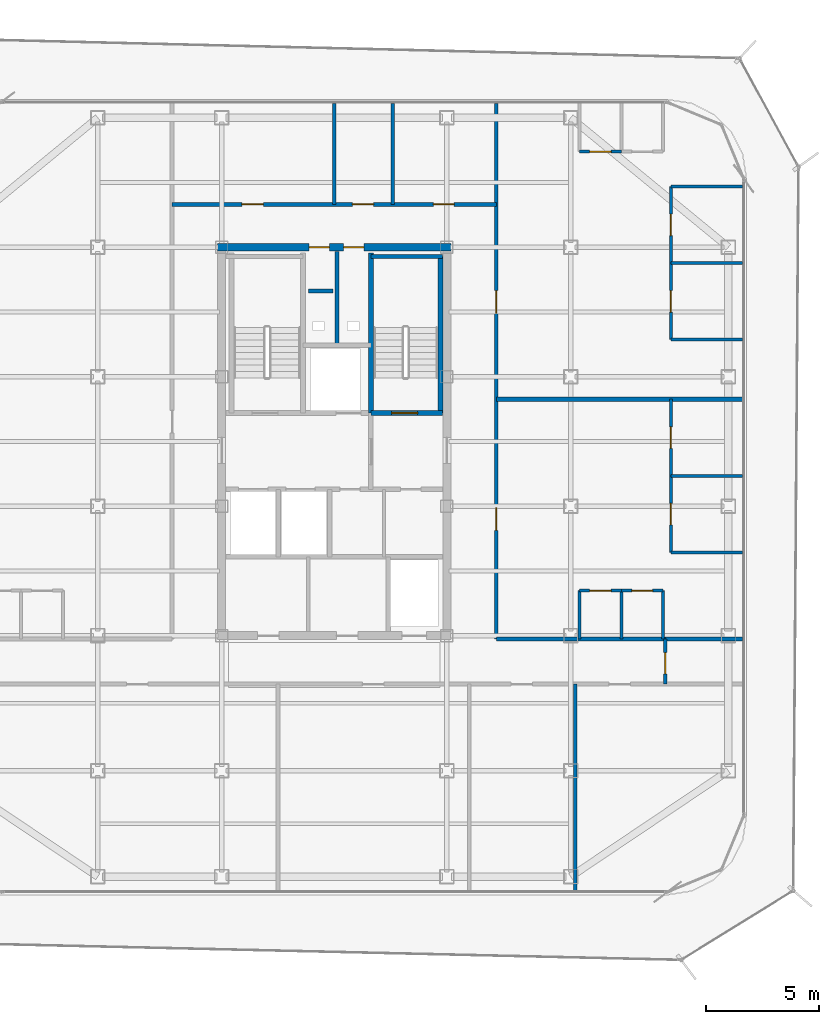
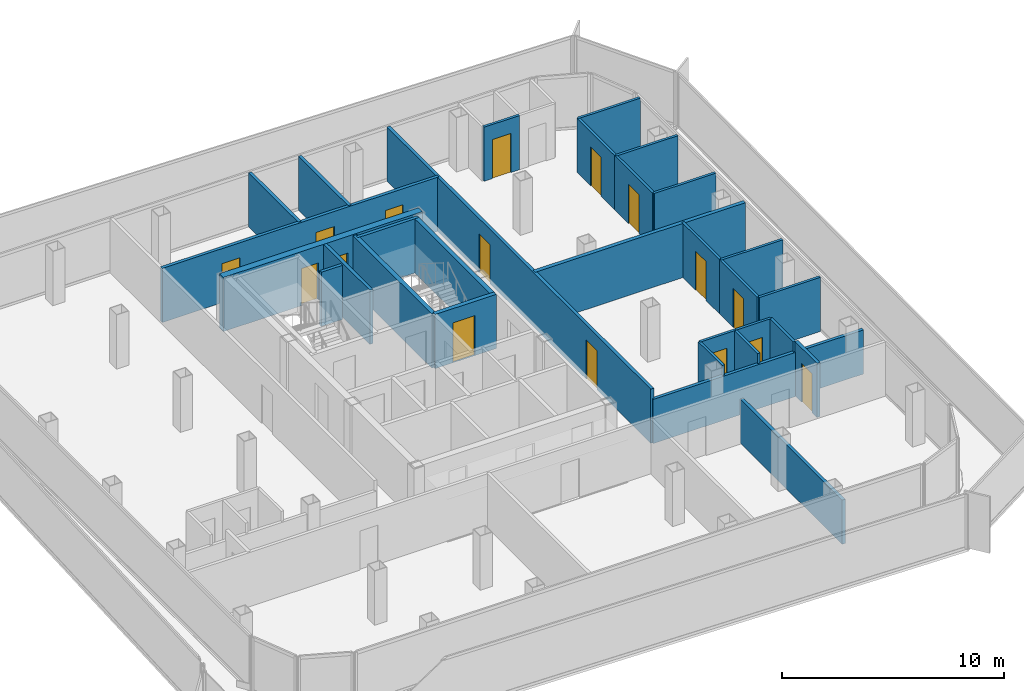
# One storey, part 11 of 15: 31 walls, 16 doors, 16 openings.
"""IFC4 building model written with IfcOpenShell, lengths in metres."""

from ifc_helpers import new_model, si_unit, direction, frame, frame_2d, origin, place, context, subcontext, project, spatial, rectangle, extrude, material, layer, layer_set, type_object, element, fill, save


model = new_model("IFC4")

# Units and contexts
model_context = context("Model", 3, precision=1e-05, world=origin(), true_north=direction((0.0, 1.0)))
body_context = subcontext(model_context, "Body", "Model", "MODEL_VIEW")
ifc_project = project(units=[si_unit("LENGTHUNIT", "METRE"), si_unit("AREAUNIT", "SQUARE_METRE"), si_unit("VOLUMEUNIT", "CUBIC_METRE"), si_unit("PLANEANGLEUNIT", "RADIAN"), si_unit("MASSUNIT", "GRAM", prefix="KILO")], contexts=[model_context])

# Site, building, storey
site_placement = place(None, origin())
site = spatial("IfcSite", under=ifc_project, at=site_placement, CompositionType="ELEMENT")
building_placement = place(site_placement, origin())
building = spatial("IfcBuilding", under=site, at=building_placement, Name="Kolveth Station Tower", CompositionType="ELEMENT")
storey_placement = place(building_placement, frame((0.0, 0.0, 264.89990234375)))
storey = spatial("IfcBuildingStorey", under=building, at=storey_placement, Name="L76", CompositionType="ELEMENT", Elevation=264.89990234375)

# Wall, openings, doors
ifc_material_1 = material(Name="Concrete C50/60", Category="concrete")
ifc_layer_1 = layer(ifc_material_1, 0.35009765625)
ifc_layer_set_1 = layer_set([ifc_layer_1], Name="Concrete C50/60")
wall_type_1 = type_object("IfcWallType", Name="Wall_CW-350", PredefinedType="SHEAR", material=ifc_layer_set_1)
wall_1_placement = place(storey_placement, frame((18.324951171875, 28.75, 0.0), z_axis=(0.0, 0.0, 1.0), x_axis=(1.0, 0.0, 0.0)))
wall_1 = element("IfcWall", 1, at=wall_1_placement, inside=storey, type_object=wall_type_1, Name="L76 Core RC Shear Wall N", PredefinedType="SHEAR", context=body_context, shape_type="SweptSolid", body=[
    extrude(rectangle(XDim=10.35009765625, YDim=0.35009765625, at=frame_2d((5.175048828125, 0.0))), origin(), (0.0, 0.0, 1.0), 2.97998046875),
])
opening_1_placement = place(wall_1_placement, frame((4.054931640625, 0.0, 0.0)))
opening_1 = element("IfcOpeningElement", 2, at=opening_1_placement, cuts=wall_1, Name="Opening RD1", PredefinedType="OPENING", context=body_context, shape_type="SweptSolid", body=[
    extrude(rectangle(XDim=0.89990234375, YDim=2.050048828125, at=frame_2d((0.449951171875, 1.02490234375))), frame((0.0, 0.18505859375, 0.0), z_axis=(0.0, -1.0, 0.0), x_axis=(1.0, 0.0, 0.0)), (0.0, 0.0, 1.0), 0.3701171875),
])
opening_2_placement = place(wall_1_placement, frame((5.594970703125, 0.0, 0.0)))
opening_2 = element("IfcOpeningElement", 3, at=opening_2_placement, cuts=wall_1, Name="Opening RD1", PredefinedType="OPENING", context=body_context, shape_type="SweptSolid", body=[
    extrude(rectangle(XDim=0.89990234375, YDim=2.050048828125, at=frame_2d((0.449951171875, 1.02490234375))), frame((0.0, 0.18505859375, 0.0), z_axis=(0.0, -1.0, 0.0), x_axis=(1.0, 0.0, 0.0)), (0.0, 0.0, 1.0), 0.3701171875),
])
ifc_material_2 = material(Name="Fire-rated Steel S355 riser access leaf", Category="steel")
door_type_1 = type_object("IfcDoorType", Name="Door_RD1", OperationType="NOTDEFINED", PredefinedType="DOOR", material=ifc_material_2)
door_1_placement = place(opening_1_placement, origin())
door_1 = element("IfcDoor", 4, at=door_1_placement, inside=storey, type_object=door_type_1, Name="L76 Electrical Riser Access Door", OperationType="SINGLE_SWING_RIGHT", OverallHeight=2.050048828125, OverallWidth=0.89990234375, PredefinedType="DOOR", context=body_context, shape_type="SweptSolid", body=[
    extrude(rectangle(XDim=0.89990234375, YDim=2.050048828125, at=frame_2d((0.449951171875, 1.02490234375))), frame((0.0, 0.02490234375, 0.0), z_axis=(0.0, -1.0, 0.0), x_axis=(1.0, 0.0, 0.0)), (0.0, 0.0, 1.0), 0.050048828125),
])
fill(opening_1, door_1)
door_2_placement = place(opening_2_placement, origin())
door_2 = element("IfcDoor", 5, at=door_2_placement, inside=storey, type_object=door_type_1, Name="L76 Smoke Duct Access Door", OperationType="SINGLE_SWING_LEFT", OverallHeight=2.050048828125, OverallWidth=0.89990234375, PredefinedType="DOOR", context=body_context, shape_type="SweptSolid", body=[
    extrude(rectangle(XDim=0.89990234375, YDim=2.050048828125, at=frame_2d((0.449951171875, 1.02490234375))), frame((0.0, 0.02490234375, 0.0), z_axis=(0.0, -1.0, 0.0), x_axis=(1.0, 0.0, 0.0)), (0.0, 0.0, 1.0), 0.050048828125),
])
fill(opening_2, door_2)

# Wall, opening, door
ifc_material_3 = material(Name="Moisture-resistant gypsum partition")
ifc_layer_2 = layer(ifc_material_3, 0.135009765625)
ifc_layer_set_2 = layer_set([ifc_layer_2], Name="Moisture-resistant gypsum partition")
wall_type_2 = type_object("IfcWallType", Name="Wall_IW-135", PredefinedType="PARTITIONING", material=ifc_layer_set_2)
wall_2_placement = place(storey_placement, frame((34.39990234375, 13.5, 0.0), z_axis=(0.0, 0.0, 1.0), x_axis=(1.0, 0.0, 0.0)))
wall_2 = element("IfcWall", 6, at=wall_2_placement, inside=storey, type_object=wall_type_2, Name="L76 Partition Wall WL-L76-E1-IBHK", PredefinedType="PARTITIONING", context=body_context, shape_type="SweptSolid", body=[
    extrude(rectangle(XDim=1.85009765625, YDim=0.135009765625, at=frame_2d((0.925048828125, 0.0))), origin(), (0.0, 0.0, 1.0), 2.97998046875),
])
opening_3_placement = place(wall_2_placement, frame((0.445068359375, 0.0, 0.0)))
opening_3 = element("IfcOpeningElement", 7, at=opening_3_placement, cuts=wall_2, Name="Opening ID1", PredefinedType="OPENING", context=body_context, shape_type="SweptSolid", body=[
    extrude(rectangle(XDim=0.949951171875, YDim=2.14990234375, at=frame_2d((0.47509765625, 1.074951171875))), frame((0.0, 0.077392578125, 0.0), z_axis=(0.0, -1.0, 0.0), x_axis=(1.0, 0.0, 0.0)), (0.0, 0.0, 1.0), 0.155029296875),
])
ifc_material_4 = material(Name="Acoustic hardwood leaf and aluminium frame", Category="wood")
door_type_2 = type_object("IfcDoorType", Name="Door_ID1", OperationType="NOTDEFINED", PredefinedType="DOOR", material=ifc_material_4)
door_3_placement = place(opening_3_placement, origin())
door_3 = element("IfcDoor", 8, at=door_3_placement, inside=storey, type_object=door_type_2, Name="Penthouse Flat L76-E1 Kitchen Door", OperationType="SINGLE_SWING_LEFT", OverallHeight=2.14990234375, OverallWidth=0.949951171875, PredefinedType="DOOR", context=body_context, shape_type="SweptSolid", body=[
    extrude(rectangle(XDim=0.949951171875, YDim=2.14990234375, at=frame_2d((0.47509765625, 1.074951171875))), frame((0.0, 0.02490234375, 0.0), z_axis=(0.0, -1.0, 0.0), x_axis=(1.0, 0.0, 0.0)), (0.0, 0.0, 1.0), 0.050048828125),
])
fill(opening_3, door_3)

wall_3_placement = place(storey_placement, frame((36.25, 13.5, 0.0), z_axis=(0.0, 0.0, 1.0), x_axis=(1.0, 0.0, 0.0)))
wall_3 = element("IfcWall", 9, at=wall_3_placement, inside=storey, type_object=wall_type_2, Name="L76 Partition Wall WL-L76-E1-IBHB", PredefinedType="PARTITIONING", context=body_context, shape_type="SweptSolid", body=[
    extrude(rectangle(XDim=1.85009765625, YDim=0.135009765625, at=frame_2d((0.925048828125, 0.0))), origin(), (0.0, 0.0, 1.0), 2.97998046875),
])
opening_4_placement = place(wall_3_placement, frame((0.465087890625, 0.0, 0.0)))
opening_4 = element("IfcOpeningElement", 10, at=opening_4_placement, cuts=wall_3, Name="Opening ID2", PredefinedType="OPENING", context=body_context, shape_type="SweptSolid", body=[
    extrude(rectangle(XDim=0.919921875, YDim=2.10009765625, at=frame_2d((0.4599609375, 1.050048828125))), frame((0.0, 0.077392578125, 0.0), z_axis=(0.0, -1.0, 0.0), x_axis=(1.0, 0.0, 0.0)), (0.0, 0.0, 1.0), 0.155029296875),
])
ifc_material_5 = material(Name="Moisture-resistant hardwood leaf", Category="wood")
door_type_3 = type_object("IfcDoorType", Name="Door_ID2", OperationType="NOTDEFINED", PredefinedType="DOOR", material=ifc_material_5)
door_4_placement = place(opening_4_placement, origin())
door_4 = element("IfcDoor", 11, at=door_4_placement, inside=storey, type_object=door_type_3, Name="Penthouse Flat L76-E1 Bathroom Door", OperationType="SINGLE_SWING_RIGHT", OverallHeight=2.10009765625, OverallWidth=0.919921875, PredefinedType="DOOR", context=body_context, shape_type="SweptSolid", body=[
    extrude(rectangle(XDim=0.919921875, YDim=2.10009765625, at=frame_2d((0.4599609375, 1.050048828125))), frame((0.0, 0.02490234375, 0.0), z_axis=(0.0, -1.0, 0.0), x_axis=(1.0, 0.0, 0.0)), (0.0, 0.0, 1.0), 0.050048828125),
])
fill(opening_4, door_4)

# Walls
for number, where, z_axis, x_axis, name in (
    (12, (34.39990234375, 11.35009765625, 0.0), (0.0, 0.0, 1.0), (0.0, 1.0, 0.0), "L76 Partition Wall WL-L76-E1-IBV0"),
    (13, (36.25, 11.35009765625, 0.0), (0.0, 0.0, 1.0), (0.0, 1.0, 0.0), "L76 Partition Wall WL-L76-E1-IBV1"),
    (14, (38.10009765625, 11.35009765625, 0.0), (0.0, 0.0, 1.0), (0.0, 1.0, 0.0), "L76 Partition Wall WL-L76-E1-IBV2"),
):
    element("IfcWall", number, at=place(storey_placement, frame(where, z_axis=z_axis, x_axis=x_axis)), inside=storey, type_object=wall_type_2, Name=name, PredefinedType="PARTITIONING", context=body_context, shape_type="SweptSolid", body=[
        extrude(rectangle(XDim=2.14990234375, YDim=0.135009765625, at=frame_2d((1.074951171875, 0.0))), origin(), (0.0, 0.0, 1.0), 2.97998046875),
    ])
wall_4_placement = place(storey_placement, frame((38.449951171875, 15.199951171875, 0.0), z_axis=(0.0, 0.0, 1.0), x_axis=(1.0, 0.0, 0.0)))
element("IfcWall", 15, at=wall_4_placement, inside=storey, type_object=wall_type_2, Name="L76 Partition Wall WL-L76-E1-BDH0", PredefinedType="PARTITIONING", context=body_context, shape_type="SweptSolid", body=[
    extrude(rectangle(XDim=3.18994140625, YDim=0.135009765625, at=frame_2d((1.594970703125, 0.0))), origin(), (0.0, 0.0, 1.0), 2.97998046875),
])

# Wall, opening, door
wall_5_placement = place(storey_placement, frame((38.449951171875, 15.199951171875, 0.0), z_axis=(0.0, 0.0, 1.0), x_axis=(0.0, 1.0, 0.0)))
wall_5 = element("IfcWall", 16, at=wall_5_placement, inside=storey, type_object=wall_type_2, Name="L76 Partition Wall WL-L76-E1-BDV1", PredefinedType="PARTITIONING", context=body_context, shape_type="SweptSolid", body=[
    extrude(rectangle(XDim=3.400146484375, YDim=0.135009765625, at=frame_2d((1.7001953125, 0.0))), origin(), (0.0, 0.0, 1.0), 2.97998046875),
])
opening_5_placement = place(wall_5_placement, frame((1.219970703125, 0.0, 0.0)))
opening_5 = element("IfcOpeningElement", 17, at=opening_5_placement, cuts=wall_5, Name="Opening ID1", PredefinedType="OPENING", context=body_context, shape_type="SweptSolid", body=[
    extrude(rectangle(XDim=0.949951171875, YDim=2.14990234375, at=frame_2d((0.47509765625, 1.074951171875))), frame((0.0, 0.077392578125, 0.0), z_axis=(0.0, -1.0, 0.0), x_axis=(1.0, 0.0, 0.0)), (0.0, 0.0, 1.0), 0.155029296875),
])
door_5_placement = place(opening_5_placement, frame((0.949951171875, 0.0, 0.0), z_axis=(0.0, 0.0, 1.0), x_axis=(-1.0, 0.0, 0.0)))
door_5 = element("IfcDoor", 18, at=door_5_placement, inside=storey, type_object=door_type_2, Name="Penthouse Flat L76-E1 Bedroom 1 Door", OperationType="SINGLE_SWING_LEFT", OverallHeight=2.14990234375, OverallWidth=0.949951171875, PredefinedType="DOOR", context=body_context, shape_type="SweptSolid", body=[
    extrude(rectangle(XDim=0.949951171875, YDim=2.14990234375, at=frame_2d((0.47509765625, 1.074951171875))), frame((0.0, 0.02490234375, 0.0), z_axis=(0.0, -1.0, 0.0), x_axis=(1.0, 0.0, 0.0)), (0.0, 0.0, 1.0), 0.050048828125),
])
fill(opening_5, door_5)

wall_6_placement = place(storey_placement, frame((38.449951171875, 18.60009765625, 0.0), z_axis=(0.0, 0.0, 1.0), x_axis=(0.0, 1.0, 0.0)))
wall_6 = element("IfcWall", 19, at=wall_6_placement, inside=storey, type_object=wall_type_2, Name="L76 Partition Wall WL-L76-E1-BDV2", PredefinedType="PARTITIONING", context=body_context, shape_type="SweptSolid", body=[
    extrude(rectangle(XDim=3.39990234375, YDim=0.135009765625, at=frame_2d((1.699951171875, 0.0))), origin(), (0.0, 0.0, 1.0), 2.97998046875),
])
opening_6_placement = place(wall_6_placement, frame((1.219970703125, 0.0, 0.0)))
opening_6 = element("IfcOpeningElement", 20, at=opening_6_placement, cuts=wall_6, Name="Opening ID1", PredefinedType="OPENING", context=body_context, shape_type="SweptSolid", body=[
    extrude(rectangle(XDim=0.949951171875, YDim=2.14990234375, at=frame_2d((0.47509765625, 1.074951171875))), frame((0.0, 0.077392578125, 0.0), z_axis=(0.0, -1.0, 0.0), x_axis=(1.0, 0.0, 0.0)), (0.0, 0.0, 1.0), 0.155029296875),
])
door_6_placement = place(opening_6_placement, frame((0.949951171875, 0.0, 0.0), z_axis=(0.0, 0.0, 1.0), x_axis=(-1.0, 0.0, 0.0)))
door_6 = element("IfcDoor", 21, at=door_6_placement, inside=storey, type_object=door_type_2, Name="Penthouse Flat L76-E1 Bedroom 2 Door", OperationType="SINGLE_SWING_RIGHT", OverallHeight=2.14990234375, OverallWidth=0.949951171875, PredefinedType="DOOR", context=body_context, shape_type="SweptSolid", body=[
    extrude(rectangle(XDim=0.949951171875, YDim=2.14990234375, at=frame_2d((0.47509765625, 1.074951171875))), frame((0.0, 0.02490234375, 0.0), z_axis=(0.0, -1.0, 0.0), x_axis=(1.0, 0.0, 0.0)), (0.0, 0.0, 1.0), 0.050048828125),
])
fill(opening_6, door_6)

# Wall
wall_7_placement = place(storey_placement, frame((38.449951171875, 18.60009765625, 0.0), z_axis=(0.0, 0.0, 1.0), x_axis=(1.0, 0.0, 0.0)))
element("IfcWall", 22, at=wall_7_placement, inside=storey, type_object=wall_type_2, Name="L76 Partition Wall WL-L76-E1-BDH1", PredefinedType="PARTITIONING", context=body_context, shape_type="SweptSolid", body=[
    extrude(rectangle(XDim=3.18994140625, YDim=0.135009765625, at=frame_2d((1.594970703125, 0.0))), origin(), (0.0, 0.0, 1.0), 2.97998046875),
])

# Wall, opening, door
wall_8_placement = place(storey_placement, frame((34.39990234375, 32.989990234375, 0.0), z_axis=(0.0, 0.0, 1.0), x_axis=(1.0, 0.0, 0.0)))
wall_8 = element("IfcWall", 23, at=wall_8_placement, inside=storey, type_object=wall_type_2, Name="L76 Partition Wall WL-L76-E2-IBHK", PredefinedType="PARTITIONING", context=body_context, shape_type="SweptSolid", body=[
    extrude(rectangle(XDim=1.85009765625, YDim=0.135009765625, at=frame_2d((0.925048828125, 0.0))), origin(), (0.0, 0.0, 1.0), 2.97998046875),
])
opening_7_placement = place(wall_8_placement, frame((0.445068359375, 0.0, 0.0)))
opening_7 = element("IfcOpeningElement", 24, at=opening_7_placement, cuts=wall_8, Name="Opening ID1", PredefinedType="OPENING", context=body_context, shape_type="SweptSolid", body=[
    extrude(rectangle(XDim=0.949951171875, YDim=2.14990234375, at=frame_2d((0.47509765625, 1.074951171875))), frame((0.0, 0.077392578125, 0.0), z_axis=(0.0, -1.0, 0.0), x_axis=(1.0, 0.0, 0.0)), (0.0, 0.0, 1.0), 0.155029296875),
])
door_7_placement = place(opening_7_placement, frame((0.949951171875, 0.0, 0.0), z_axis=(0.0, 0.0, 1.0), x_axis=(-1.0, 0.0, 0.0)))
door_7 = element("IfcDoor", 25, at=door_7_placement, inside=storey, type_object=door_type_2, Name="Penthouse Flat L76-E2 Kitchen Door", OperationType="SINGLE_SWING_LEFT", OverallHeight=2.14990234375, OverallWidth=0.949951171875, PredefinedType="DOOR", context=body_context, shape_type="SweptSolid", body=[
    extrude(rectangle(XDim=0.949951171875, YDim=2.14990234375, at=frame_2d((0.47509765625, 1.074951171875))), frame((0.0, 0.02490234375, 0.0), z_axis=(0.0, -1.0, 0.0), x_axis=(1.0, 0.0, 0.0)), (0.0, 0.0, 1.0), 0.050048828125),
])
fill(opening_7, door_7)

# Walls
for number, where, z_axis, x_axis, name in (
    (26, (38.449951171875, 24.64599609375, 0.0), (0.0, 0.0, 1.0), (1.0, 0.0, 0.0), "L76 Partition Wall WL-L76-E2-BDH0"),
    (27, (38.449951171875, 31.449951171875, 0.0), (0.0, 0.0, 1.0), (1.0, 0.0, 0.0), "L76 Partition Wall WL-L76-E2-BDHE"),
):
    element("IfcWall", number, at=place(storey_placement, frame(where, z_axis=z_axis, x_axis=x_axis)), inside=storey, type_object=wall_type_2, Name=name, PredefinedType="PARTITIONING", context=body_context, shape_type="SweptSolid", body=[
        extrude(rectangle(XDim=3.18994140625, YDim=0.135009765625, at=frame_2d((1.594970703125, 0.0))), origin(), (0.0, 0.0, 1.0), 2.97998046875),
    ])

# Wall, opening, door
wall_9_placement = place(storey_placement, frame((38.449951171875, 24.64599609375, 0.0), z_axis=(0.0, 0.0, 1.0), x_axis=(0.0, 1.0, 0.0)))
wall_9 = element("IfcWall", 28, at=wall_9_placement, inside=storey, type_object=wall_type_2, Name="L76 Partition Wall WL-L76-E2-BDV1", PredefinedType="PARTITIONING", context=body_context, shape_type="SweptSolid", body=[
    extrude(rectangle(XDim=3.402099609375, YDim=0.135009765625, at=frame_2d((1.701171875, 0.0))), origin(), (0.0, 0.0, 1.0), 2.97998046875),
])
opening_8_placement = place(wall_9_placement, frame((1.220947265625, 0.0, 0.0)))
opening_8 = element("IfcOpeningElement", 29, at=opening_8_placement, cuts=wall_9, Name="Opening ID1", PredefinedType="OPENING", context=body_context, shape_type="SweptSolid", body=[
    extrude(rectangle(XDim=0.949951171875, YDim=2.14990234375, at=frame_2d((0.47509765625, 1.074951171875))), frame((0.0, 0.077392578125, 0.0), z_axis=(0.0, -1.0, 0.0), x_axis=(1.0, 0.0, 0.0)), (0.0, 0.0, 1.0), 0.155029296875),
])
door_8_placement = place(opening_8_placement, frame((0.949951171875, 0.0, 0.0), z_axis=(0.0, 0.0, 1.0), x_axis=(-1.0, 0.0, 0.0)))
door_8 = element("IfcDoor", 30, at=door_8_placement, inside=storey, type_object=door_type_2, Name="Penthouse Flat L76-E2 Bedroom 1 Door", OperationType="SINGLE_SWING_RIGHT", OverallHeight=2.14990234375, OverallWidth=0.949951171875, PredefinedType="DOOR", context=body_context, shape_type="SweptSolid", body=[
    extrude(rectangle(XDim=0.949951171875, YDim=2.14990234375, at=frame_2d((0.47509765625, 1.074951171875))), frame((0.0, 0.02490234375, 0.0), z_axis=(0.0, -1.0, 0.0), x_axis=(1.0, 0.0, 0.0)), (0.0, 0.0, 1.0), 0.050048828125),
])
fill(opening_8, door_8)

wall_10_placement = place(storey_placement, frame((38.449951171875, 28.048095703125, 0.0), z_axis=(0.0, 0.0, 1.0), x_axis=(0.0, 1.0, 0.0)))
wall_10 = element("IfcWall", 31, at=wall_10_placement, inside=storey, type_object=wall_type_2, Name="L76 Partition Wall WL-L76-E2-BDV2", PredefinedType="PARTITIONING", context=body_context, shape_type="SweptSolid", body=[
    extrude(rectangle(XDim=3.40185546875, YDim=0.135009765625, at=frame_2d((1.700927734375, 0.0))), origin(), (0.0, 0.0, 1.0), 2.97998046875),
])
opening_9_placement = place(wall_10_placement, frame((1.220947265625, 0.0, 0.0)))
opening_9 = element("IfcOpeningElement", 32, at=opening_9_placement, cuts=wall_10, Name="Opening ID1", PredefinedType="OPENING", context=body_context, shape_type="SweptSolid", body=[
    extrude(rectangle(XDim=0.949951171875, YDim=2.14990234375, at=frame_2d((0.47509765625, 1.074951171875))), frame((0.0, 0.077392578125, 0.0), z_axis=(0.0, -1.0, 0.0), x_axis=(1.0, 0.0, 0.0)), (0.0, 0.0, 1.0), 0.155029296875),
])
door_9_placement = place(opening_9_placement, frame((0.949951171875, 0.0, 0.0), z_axis=(0.0, 0.0, 1.0), x_axis=(-1.0, 0.0, 0.0)))
door_9 = element("IfcDoor", 33, at=door_9_placement, inside=storey, type_object=door_type_2, Name="Penthouse Flat L76-E2 Bedroom 2 Door", OperationType="SINGLE_SWING_LEFT", OverallHeight=2.14990234375, OverallWidth=0.949951171875, PredefinedType="DOOR", context=body_context, shape_type="SweptSolid", body=[
    extrude(rectangle(XDim=0.949951171875, YDim=2.14990234375, at=frame_2d((0.47509765625, 1.074951171875))), frame((0.0, 0.02490234375, 0.0), z_axis=(0.0, -1.0, 0.0), x_axis=(1.0, 0.0, 0.0)), (0.0, 0.0, 1.0), 0.050048828125),
])
fill(opening_9, door_9)

# Walls
wall_11_placement = place(storey_placement, frame((38.449951171875, 28.048095703125, 0.0), z_axis=(0.0, 0.0, 1.0), x_axis=(1.0, 0.0, 0.0)))
element("IfcWall", 34, at=wall_11_placement, inside=storey, type_object=wall_type_2, Name="L76 Partition Wall WL-L76-E2-BDH1", PredefinedType="PARTITIONING", context=body_context, shape_type="SweptSolid", body=[
    extrude(rectangle(XDim=3.18994140625, YDim=0.135009765625, at=frame_2d((1.594970703125, 0.0))), origin(), (0.0, 0.0, 1.0), 2.97998046875),
])
ifc_material_6 = material(Name="Acoustic double-stud gypsum partition")
ifc_layer_3 = layer(ifc_material_6, 0.1650390625)
ifc_layer_set_3 = layer_set([ifc_layer_3], Name="Acoustic double-stud gypsum partition")
wall_type_3 = type_object("IfcWallType", Name="Wall_IW-165", PredefinedType="PARTITIONING", material=ifc_layer_set_3)
wall_12_placement = place(storey_placement, frame((25.1298828125, 28.3349609375, 0.0), z_axis=(0.0, 0.0, 1.0), x_axis=(1.0, 0.0, 0.0)))
element("IfcWall", 35, at=wall_12_placement, inside=storey, type_object=wall_type_3, Name="L76 Stair Shaft Wall WL-L76-ST2-N", PredefinedType="PARTITIONING", context=body_context, shape_type="SweptSolid", body=[
    extrude(rectangle(XDim=3.18505859375, YDim=0.1650390625, at=frame_2d((1.592529296875, 0.0))), origin(), (0.0, 0.0, 1.0), 2.97998046875),
])
wall_13_placement = place(storey_placement, frame((23.6201171875, 24.39990234375, 0.0), z_axis=(0.0, 0.0, 1.0), x_axis=(0.0, 1.0, 0.0)))
element("IfcWall", 36, at=wall_13_placement, inside=storey, type_object=wall_type_3, Name="L76 Partition Wall WL-L76-RSR-M", PredefinedType="PARTITIONING", context=body_context, shape_type="SweptSolid", body=[
    extrude(rectangle(XDim=4.1650390625, YDim=0.1650390625, at=frame_2d((2.08251953125, 0.0))), origin(), (0.0, 0.0, 1.0), 2.97998046875),
])
wall_14_placement = place(storey_placement, frame((30.699951171875, 11.35009765625, 0.0), z_axis=(0.0, 0.0, 1.0), x_axis=(1.0, 0.0, 0.0)))
element("IfcWall", 37, at=wall_14_placement, inside=storey, type_object=wall_type_3, Name="L76 Partition Wall WL-L76-RSET", PredefinedType="PARTITIONING", context=body_context, shape_type="SweptSolid", body=[
    extrude(rectangle(XDim=7.5, YDim=0.1650390625, at=frame_2d((3.75, 0.0))), origin(), (0.0, 0.0, 1.0), 2.427978515625),
])

# Wall, opening, door
wall_15_placement = place(storey_placement, frame((38.199951171875, 9.35009765625, 0.0), z_axis=(0.0, 0.0, 1.0), x_axis=(0.0, 1.0, 0.0)))
wall_15 = element("IfcWall", 38, at=wall_15_placement, inside=storey, type_object=wall_type_3, Name="L76 Partition Wall WL-L76-RSEE", PredefinedType="PARTITIONING", context=body_context, shape_type="SweptSolid", body=[
    extrude(rectangle(XDim=2.0, YDim=0.1650390625, at=frame_2d((1.0, 0.0))), origin(), (0.0, 0.0, 1.0), 2.97998046875),
])
opening_10_placement = place(wall_15_placement, frame((0.449951171875, 0.0, 0.0)))
opening_10 = element("IfcOpeningElement", 39, at=opening_10_placement, cuts=wall_15, Name="Opening ID1", PredefinedType="OPENING", context=body_context, shape_type="SweptSolid", body=[
    extrude(rectangle(XDim=0.949951171875, YDim=2.14990234375, at=frame_2d((0.47509765625, 1.074951171875))), frame((0.0, 0.092529296875, 0.0), z_axis=(0.0, -1.0, 0.0), x_axis=(1.0, 0.0, 0.0)), (0.0, 0.0, 1.0), 0.18505859375),
])
door_10_placement = place(opening_10_placement, origin())
door_10 = element("IfcDoor", 40, at=door_10_placement, inside=storey, type_object=door_type_2, Name="L76 Hobby Study Door", OperationType="SINGLE_SWING_LEFT", OverallHeight=2.14990234375, OverallWidth=0.949951171875, PredefinedType="DOOR", context=body_context, shape_type="SweptSolid", body=[
    extrude(rectangle(XDim=0.949951171875, YDim=2.14990234375, at=frame_2d((0.47509765625, 1.074951171875))), frame((0.0, 0.02490234375, 0.0), z_axis=(0.0, -1.0, 0.0), x_axis=(1.0, 0.0, 0.0)), (0.0, 0.0, 1.0), 0.050048828125),
])
fill(opening_10, door_10)

# Wall, openings, doors
wall_16_placement = place(storey_placement, frame((16.300048828125, 30.64990234375, 0.0), z_axis=(0.0, 0.0, 1.0), x_axis=(1.0, 0.0, 0.0)))
wall_16 = element("IfcWall", 41, at=wall_16_placement, inside=storey, type_object=wall_type_3, Name="L76 Partition Wall WL-L76-RN", PredefinedType="PARTITIONING", context=body_context, shape_type="SweptSolid", body=[
    extrude(rectangle(XDim=14.39990234375, YDim=0.1650390625, at=frame_2d((7.199951171875, 0.0))), origin(), (0.0, 0.0, 1.0), 2.97998046875),
])
opening_11_placement = place(wall_16_placement, frame((3.10009765625, 0.0, 0.0)))
opening_11 = element("IfcOpeningElement", 42, at=opening_11_placement, cuts=wall_16, Name="Opening ID1", PredefinedType="OPENING", context=body_context, shape_type="SweptSolid", body=[
    extrude(rectangle(XDim=0.949951171875, YDim=2.14990234375, at=frame_2d((0.47509765625, 1.074951171875))), frame((0.0, 0.092529296875, 0.0), z_axis=(0.0, -1.0, 0.0), x_axis=(1.0, 0.0, 0.0)), (0.0, 0.0, 1.0), 0.18505859375),
])
opening_12_placement = place(wall_16_placement, frame((8.0, 0.0, 0.0)))
opening_12 = element("IfcOpeningElement", 43, at=opening_12_placement, cuts=wall_16, Name="Opening ID1", PredefinedType="OPENING", context=body_context, shape_type="SweptSolid", body=[
    extrude(rectangle(XDim=0.949951171875, YDim=2.14990234375, at=frame_2d((0.47509765625, 1.074951171875))), frame((0.0, 0.092529296875, 0.0), z_axis=(0.0, -1.0, 0.0), x_axis=(1.0, 0.0, 0.0)), (0.0, 0.0, 1.0), 0.18505859375),
])
opening_13_placement = place(wall_16_placement, frame((11.60009765625, 0.0, 0.0)))
opening_13 = element("IfcOpeningElement", 44, at=opening_13_placement, cuts=wall_16, Name="Opening ID2", PredefinedType="OPENING", context=body_context, shape_type="SweptSolid", body=[
    extrude(rectangle(XDim=0.919921875, YDim=2.10009765625, at=frame_2d((0.4599609375, 1.050048828125))), frame((0.0, 0.092529296875, 0.0), z_axis=(0.0, -1.0, 0.0), x_axis=(1.0, 0.0, 0.0)), (0.0, 0.0, 1.0), 0.18505859375),
])
door_11_placement = place(opening_11_placement, origin())
door_11 = element("IfcDoor", 45, at=door_11_placement, inside=storey, type_object=door_type_2, Name="L76 Residents' Sky Lounge Door", OperationType="SINGLE_SWING_LEFT", OverallHeight=2.14990234375, OverallWidth=0.949951171875, PredefinedType="DOOR", context=body_context, shape_type="SweptSolid", body=[
    extrude(rectangle(XDim=0.949951171875, YDim=2.14990234375, at=frame_2d((0.47509765625, 1.074951171875))), frame((0.0, 0.02490234375, 0.0), z_axis=(0.0, -1.0, 0.0), x_axis=(1.0, 0.0, 0.0)), (0.0, 0.0, 1.0), 0.050048828125),
])
fill(opening_11, door_11)
door_12_placement = place(opening_12_placement, origin())
door_12 = element("IfcDoor", 46, at=door_12_placement, inside=storey, type_object=door_type_2, Name="L76 Residents' Committee Room Door", OperationType="SINGLE_SWING_RIGHT", OverallHeight=2.14990234375, OverallWidth=0.949951171875, PredefinedType="DOOR", context=body_context, shape_type="SweptSolid", body=[
    extrude(rectangle(XDim=0.949951171875, YDim=2.14990234375, at=frame_2d((0.47509765625, 1.074951171875))), frame((0.0, 0.02490234375, 0.0), z_axis=(0.0, -1.0, 0.0), x_axis=(1.0, 0.0, 0.0)), (0.0, 0.0, 1.0), 0.050048828125),
])
fill(opening_12, door_12)
door_13_placement = place(opening_13_placement, origin())
door_13 = element("IfcDoor", 47, at=door_13_placement, inside=storey, type_object=door_type_3, Name="L76 Accessible Residents' WC Door", OperationType="SINGLE_SWING_LEFT", OverallHeight=2.10009765625, OverallWidth=0.919921875, PredefinedType="DOOR", context=body_context, shape_type="SweptSolid", body=[
    extrude(rectangle(XDim=0.919921875, YDim=2.10009765625, at=frame_2d((0.4599609375, 1.050048828125))), frame((0.0, 0.02490234375, 0.0), z_axis=(0.0, -1.0, 0.0), x_axis=(1.0, 0.0, 0.0)), (0.0, 0.0, 1.0), 0.050048828125),
])
fill(opening_13, door_13)

wall_17_placement = place(storey_placement, frame((30.699951171875, 11.35009765625, 0.0), z_axis=(0.0, 0.0, 1.0), x_axis=(0.0, 1.0, 0.0)))
wall_17 = element("IfcWall", 48, at=wall_17_placement, inside=storey, type_object=wall_type_3, Name="L76 Partition Wall WL-L76-RE", PredefinedType="PARTITIONING", context=body_context, shape_type="SweptSolid", body=[
    extrude(rectangle(XDim=23.789794921875, YDim=0.1650390625, at=frame_2d((11.89501953125, 0.0))), origin(), (0.0, 0.0, 1.0), 2.97998046875),
])
opening_14_placement = place(wall_17_placement, frame((4.824951171875, 0.0, 0.0)))
opening_14 = element("IfcOpeningElement", 49, at=opening_14_placement, cuts=wall_17, Name="Opening FD3", PredefinedType="OPENING", context=body_context, shape_type="SweptSolid", body=[
    extrude(rectangle(XDim=1.0, YDim=2.14990234375, at=frame_2d((0.5, 1.074951171875))), frame((0.0, 0.092529296875, 0.0), z_axis=(0.0, -1.0, 0.0), x_axis=(1.0, 0.0, 0.0)), (0.0, 0.0, 1.0), 0.18505859375),
])
opening_15_placement = place(wall_17_placement, frame((14.47509765625, 0.0, 0.0)))
opening_15 = element("IfcOpeningElement", 50, at=opening_15_placement, cuts=wall_17, Name="Opening FD3", PredefinedType="OPENING", context=body_context, shape_type="SweptSolid", body=[
    extrude(rectangle(XDim=1.0, YDim=2.14990234375, at=frame_2d((0.5, 1.074951171875))), frame((0.0, 0.092529296875, 0.0), z_axis=(0.0, -1.0, 0.0), x_axis=(1.0, 0.0, 0.0)), (0.0, 0.0, 1.0), 0.18505859375),
])
ifc_material_7 = material(Name="Fire-rated hardwood leaf and aluminium frame", Category="wood")
door_type_4 = type_object("IfcDoorType", Name="Door_FD3", OperationType="NOTDEFINED", PredefinedType="DOOR", material=ifc_material_7)
door_14_placement = place(opening_14_placement, frame((1.0, 0.0, 0.0), z_axis=(0.0, 0.0, 1.0), x_axis=(-1.0, 0.0, 0.0)))
door_14 = element("IfcDoor", 51, at=door_14_placement, inside=storey, type_object=door_type_4, Name="Penthouse Flat L76-E1 Entrance Door", OperationType="SINGLE_SWING_LEFT", OverallHeight=2.14990234375, OverallWidth=1.0, PredefinedType="DOOR", context=body_context, shape_type="SweptSolid", body=[
    extrude(rectangle(XDim=1.0, YDim=2.14990234375, at=frame_2d((0.5, 1.074951171875))), frame((0.0, 0.02490234375, 0.0), z_axis=(0.0, -1.0, 0.0), x_axis=(1.0, 0.0, 0.0)), (0.0, 0.0, 1.0), 0.050048828125),
])
fill(opening_14, door_14)
door_15_placement = place(opening_15_placement, frame((1.0, 0.0, 0.0), z_axis=(0.0, 0.0, 1.0), x_axis=(-1.0, 0.0, 0.0)))
door_15 = element("IfcDoor", 52, at=door_15_placement, inside=storey, type_object=door_type_4, Name="Penthouse Flat L76-E2 Entrance Door", OperationType="SINGLE_SWING_RIGHT", OverallHeight=2.14990234375, OverallWidth=1.0, PredefinedType="DOOR", context=body_context, shape_type="SweptSolid", body=[
    extrude(rectangle(XDim=1.0, YDim=2.14990234375, at=frame_2d((0.5, 1.074951171875))), frame((0.0, 0.02490234375, 0.0), z_axis=(0.0, -1.0, 0.0), x_axis=(1.0, 0.0, 0.0)), (0.0, 0.0, 1.0), 0.050048828125),
])
fill(opening_15, door_15)

# Walls
wall_18_placement = place(storey_placement, frame((34.199951171875, 0.159912109375, 0.0), z_axis=(0.0, 0.0, 1.0), x_axis=(0.0, 1.0, 0.0)))
element("IfcWall", 53, at=wall_18_placement, inside=storey, type_object=wall_type_3, Name="L76 Partition Wall WL-L76-RSA-P3", PredefinedType="PARTITIONING", context=body_context, shape_type="SweptSolid", body=[
    extrude(rectangle(XDim=9.190185546875, YDim=0.1650390625, at=frame_2d((4.59521484375, 0.0))), origin(), (0.0, 0.0, 1.0), 2.427978515625),
])
wall_19_placement = place(storey_placement, frame((38.199951171875, 11.35009765625, 0.0), z_axis=(0.0, 0.0, 1.0), x_axis=(1.0, 0.0, 0.0)))
element("IfcWall", 54, at=wall_19_placement, inside=storey, type_object=wall_type_3, Name="L76 Partition Wall WL-L76-ESTN", PredefinedType="PARTITIONING", context=body_context, shape_type="SweptSolid", body=[
    extrude(rectangle(XDim=3.43994140625, YDim=0.1650390625, at=frame_2d((1.719970703125, 0.0))), origin(), (0.0, 0.0, 1.0), 2.427978515625),
])
for number, where, z_axis, x_axis, name in (
    (55, (23.5, 30.64990234375, 0.0), (0.0, 0.0, 1.0), (0.0, 1.0, 0.0), "L76 Partition Wall WL-L76-RN-P1"),
    (56, (26.10009765625, 30.64990234375, 0.0), (0.0, 0.0, 1.0), (0.0, 1.0, 0.0), "L76 Partition Wall WL-L76-RN-P2"),
):
    element("IfcWall", number, at=place(storey_placement, frame(where, z_axis=z_axis, x_axis=x_axis)), inside=storey, type_object=wall_type_3, Name=name, PredefinedType="PARTITIONING", context=body_context, shape_type="SweptSolid", body=[
        extrude(rectangle(XDim=4.489990234375, YDim=0.1650390625, at=frame_2d((2.2451171875, 0.0))), origin(), (0.0, 0.0, 1.0), 2.97998046875),
    ])
wall_20_placement = place(storey_placement, frame((22.35009765625, 26.800048828125, 0.0), z_axis=(0.0, 0.0, 1.0), x_axis=(1.0, 0.0, 0.0)))
element("IfcWall", 57, at=wall_20_placement, inside=storey, type_object=wall_type_3, Name="L76 Acoustic Riser Dry-Lining Wall", PredefinedType="PARTITIONING", context=body_context, shape_type="SweptSolid", body=[
    extrude(rectangle(XDim=1.099853515625, YDim=0.1650390625, at=frame_2d((0.5498046875, 0.0))), origin(), (0.0, 0.0, 1.0), 2.97998046875),
])
ifc_material_8 = material(Name="Acoustic fire-rated gypsum blockwork", Category="masonry")
ifc_layer_4 = layer(ifc_material_8, 0.199951171875)
ifc_layer_set_4 = layer_set([ifc_layer_4], Name="Acoustic fire-rated gypsum blockwork")
wall_type_4 = type_object("IfcWallType", Name="Wall_IW-200", PredefinedType="PARTITIONING", material=ifc_layer_set_4)
wall_21_placement = place(storey_placement, frame((30.699951171875, 22.0, 0.0), z_axis=(0.0, 0.0, 1.0), x_axis=(1.0, 0.0, 0.0)))
element("IfcWall", 58, at=wall_21_placement, inside=storey, type_object=wall_type_4, Name="L76 Partition Wall WL-L76-REU-1", PredefinedType="PARTITIONING", context=body_context, shape_type="SweptSolid", body=[
    extrude(rectangle(XDim=10.93994140625, YDim=0.199951171875, at=frame_2d((5.469970703125, 0.0))), origin(), (0.0, 0.0, 1.0), 2.97998046875),
])
ifc_material_9 = material(Name="Concrete C40/50", Category="concrete")
ifc_layer_5 = layer(ifc_material_9, 0.219970703125)
ifc_layer_set_5 = layer_set([ifc_layer_5], Name="Concrete C40/50")
wall_type_5 = type_object("IfcWallType", Name="Wall_IW-220", PredefinedType="SOLIDWALL", material=ifc_layer_set_5)
wall_22_placement = place(storey_placement, frame((25.1298828125, 21.389892578125, 0.0), z_axis=(0.0, 0.0, 1.0), x_axis=(0.0, 1.0, 0.0)))
element("IfcWall", 59, at=wall_22_placement, inside=storey, type_object=wall_type_5, Name="L76 Stair Shaft Wall WL-L76-ST2-W", PredefinedType="SOLIDWALL", context=body_context, shape_type="SweptSolid", body=[
    extrude(rectangle(XDim=7.110107421875, YDim=0.219970703125, at=frame_2d((3.55517578125, 0.0))), origin(), (0.0, 0.0, 1.0), 2.97998046875),
])
wall_23_placement = place(storey_placement, frame((28.2099609375, 21.389892578125, 0.0), z_axis=(0.0, 0.0, 1.0), x_axis=(0.0, 1.0, 0.0)))
element("IfcWall", 60, at=wall_23_placement, inside=storey, type_object=wall_type_5, Name="L76 Stair Shaft Wall WL-L76-ST2-E", PredefinedType="SOLIDWALL", context=body_context, shape_type="SweptSolid", body=[
    extrude(rectangle(XDim=6.945068359375, YDim=0.219970703125, at=frame_2d((3.47265625, 0.0))), origin(), (0.0, 0.0, 1.0), 2.97998046875),
])

# Wall, opening, door
wall_24_placement = place(storey_placement, frame((25.1298828125, 21.389892578125, 0.0), z_axis=(0.0, 0.0, 1.0), x_axis=(1.0, 0.0, 0.0)))
wall_24 = element("IfcWall", 61, at=wall_24_placement, inside=storey, type_object=wall_type_5, Name="L76 Stair Shaft Wall WL-L76-ST2-S", PredefinedType="SOLIDWALL", context=body_context, shape_type="SweptSolid", body=[
    extrude(rectangle(XDim=3.18505859375, YDim=0.219970703125, at=frame_2d((1.592529296875, 0.0))), origin(), (0.0, 0.0, 1.0), 2.97998046875),
])
opening_16_placement = place(wall_24_placement, frame((0.919921875, 0.0, 0.0)))
opening_16 = element("IfcOpeningElement", 62, at=opening_16_placement, cuts=wall_24, Name="Opening FD1", PredefinedType="OPENING", context=body_context, shape_type="SweptSolid", body=[
    extrude(rectangle(XDim=1.14990234375, YDim=2.199951171875, at=frame_2d((0.574951171875, 1.10009765625))), frame((0.0, 0.119873046875, 0.0), z_axis=(0.0, -1.0, 0.0), x_axis=(1.0, 0.0, 0.0)), (0.0, 0.0, 1.0), 0.239990234375),
])
ifc_material_10 = material(Name="Fire-rated Steel S355 leaf and frame", Category="steel")
door_type_5 = type_object("IfcDoorType", Name="Door_FD1", OperationType="NOTDEFINED", PredefinedType="DOOR", material=ifc_material_10)
door_16_placement = place(opening_16_placement, frame((1.14990234375, 0.0, 0.0), z_axis=(0.0, 0.0, 1.0), x_axis=(-1.0, 0.0, 0.0)))
door_16 = element("IfcDoor", 63, at=door_16_placement, inside=storey, type_object=door_type_5, Name="L76 Stair ST2 Fire Door", OperationType="SINGLE_SWING_RIGHT", OverallHeight=2.199951171875, OverallWidth=1.14990234375, PredefinedType="DOOR", context=body_context, shape_type="SweptSolid", body=[
    extrude(rectangle(XDim=1.14990234375, YDim=2.199951171875, at=frame_2d((0.574951171875, 1.10009765625))), frame((0.0, 0.02490234375, 0.0), z_axis=(0.0, -1.0, 0.0), x_axis=(1.0, 0.0, 0.0)), (0.0, 0.0, 1.0), 0.050048828125),
])
fill(opening_16, door_16)

save(model, "model.ifc")
